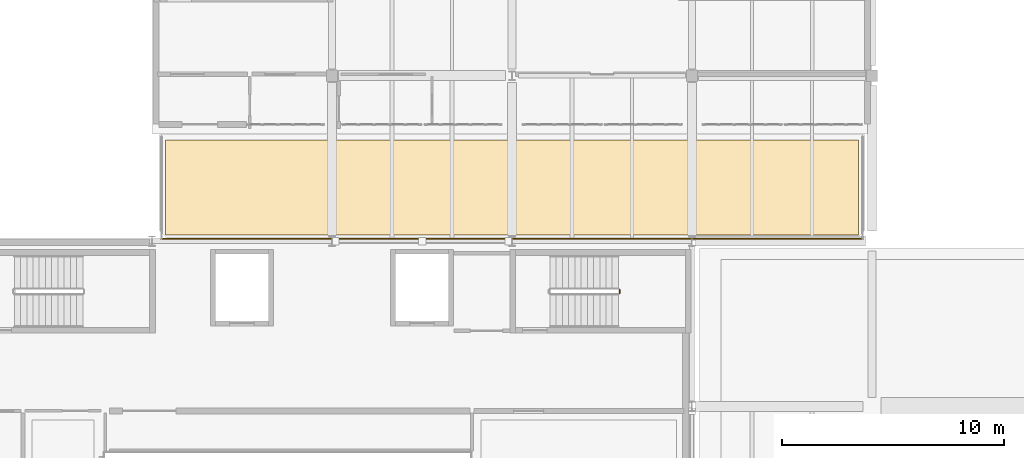
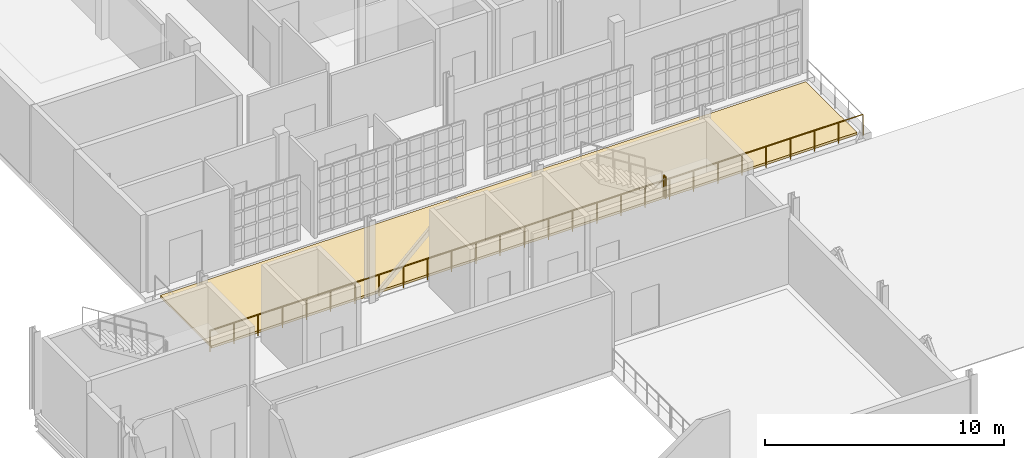
# One storey, part 24 of 25: 2 railings, 1 covering.
"""IFC4 building model written with IfcOpenShell, lengths in metres."""

import ifcopenshell
import ifcopenshell.guid

model = None  # the IFC model being written
_history = None  # IfcOwnerHistory: only IFC2X3 demands one
_inside = {}  # id of a spatial element -> (the spatial element, [elements in it])
_under = {}  # id of a project, library or spatial element -> (it, [spatial elements below it])
_declared = {}  # id of a project -> (the project, [libraries it declares])
_typed = {}  # id of a type object -> (the type object, [elements of that type])
_made_of = {}  # id of a material, layer set ... -> (it, [elements and type objects made of it])


def new_model(schema):
    """Start an empty IFC model of exactly this schema.

    Asked for "IFC4X3", IfcOpenShell would pick the latest addendum, in which some entities
    have other attributes; the version numbers below select the first issue.
    IFC2X3 requires an IfcOwnerHistory on every rooted entity: one is made here for all.
    """
    global model, _history
    if schema == "IFC4X3":
        model = ifcopenshell.file(schema_version=(4, 3, 0, 0))
    else:
        model = ifcopenshell.file(schema=schema)
    _inside.clear()
    _under.clear()
    _declared.clear()
    _typed.clear()
    _made_of.clear()
    _history = None
    if model.schema == "IFC2X3":
        org = make("IfcOrganization", Name="unknown")
        user = make(
            "IfcPersonAndOrganization",
            ThePerson=make("IfcPerson", FamilyName="unknown"),
            TheOrganization=org,
        )
        app = make(
            "IfcApplication",
            ApplicationDeveloper=org,
            Version="unknown",
            ApplicationFullName="unknown",
            ApplicationIdentifier="unknown",
        )
        _history = make(
            "IfcOwnerHistory",
            OwningUser=user,
            OwningApplication=app,
            ChangeAction="ADDED",
            CreationDate=0,
        )
    return model


def make(cls, **values):
    """One entity of the class cls with the attributes given. An attribute that is None is left unset."""
    return model.create_entity(
        cls, **{name: value for name, value in values.items() if value is not None}
    )


def rooted(cls, **values):
    """An entity with a GlobalId (a new one), such as an element, a storey or a relation."""
    return make(cls, GlobalId=ifcopenshell.guid.new(), OwnerHistory=_history, **values)


def si_unit(unit_type, name, prefix=None):
    """IfcSIUnit, for example si_unit("LENGTHUNIT", "METRE", prefix="MILLI")."""
    return make("IfcSIUnit", UnitType=unit_type, Prefix=prefix, Name=name)


def assignment(units):
    """IfcUnitAssignment: the units of a project."""
    return None if units is None else make("IfcUnitAssignment", Units=units)


def point(xyz):
    """IfcCartesianPoint."""
    return None if xyz is None else make("IfcCartesianPoint", Coordinates=xyz)


def direction(xyz):
    """IfcDirection."""
    return None if xyz is None else make("IfcDirection", DirectionRatios=xyz)


def frame(location, z_axis=None, x_axis=None):
    """IfcAxis2Placement3D, a coordinate frame: its origin and axes. An axis left out is left unset."""
    return make(
        "IfcAxis2Placement3D",
        Location=point(location),
        Axis=direction(z_axis),
        RefDirection=direction(x_axis),
    )


def frame_2d(location, x_axis=None):
    """IfcAxis2Placement2D, a coordinate frame in the plane: its origin and x axis."""
    return make(
        "IfcAxis2Placement2D", Location=point(location), RefDirection=direction(x_axis)
    )


def origin():
    """The frame at (0, 0, 0) with its axes left unset."""
    return frame((0.0, 0.0, 0.0))


def origin_2d():
    """The frame at (0, 0) in the plane with its x axis left unset."""
    return frame_2d((0.0, 0.0))


def place(relative_to, where):
    """IfcLocalPlacement: puts the frame where relative to a parent placement (None: the world)."""
    return make(
        "IfcLocalPlacement", PlacementRelTo=relative_to, RelativePlacement=where
    )


def context(
    kind, dimensions, precision=None, world=None, true_north=None, identifier=None
):
    """IfcGeometricRepresentationContext, for example the 3D "Model" context."""
    return make(
        "IfcGeometricRepresentationContext",
        ContextIdentifier=identifier,
        ContextType=kind,
        CoordinateSpaceDimension=dimensions,
        Precision=precision,
        WorldCoordinateSystem=world,
        TrueNorth=true_north,
    )


def subcontext(parent, identifier, kind, view, scale=None):
    """IfcGeometricRepresentationSubContext, for example "Body" below "Model"."""
    return make(
        "IfcGeometricRepresentationSubContext",
        ContextIdentifier=identifier,
        ContextType=kind,
        ParentContext=parent,
        TargetScale=scale,
        TargetView=view,
    )


def project(units=None, contexts=None):
    """IfcProject with its units and contexts."""
    return rooted(
        "IfcProject",
        Name="project",
        RepresentationContexts=contexts,
        UnitsInContext=assignment(units),
    )


def spatial(cls, under=None, at=None, **own):
    """A site, building, storey or space (cls), placed at a placement, below another one or the project."""
    s = rooted(cls, ObjectPlacement=at, **own)
    if under is not None:
        _under.setdefault(under.id(), (under, []))[1].append(s)
    return s


def polyline(points):
    """IfcPolyline through the points."""
    return make("IfcPolyline", Points=[point(p) for p in points])


def profile(cls, at=None, kind="AREA", **sizes):
    """A parametric profile (cls). Its sizes go by their IFC names, for example OverallWidth=200.0."""
    return make(cls, ProfileType=kind, Position=at, **sizes)


def circle(**sizes):
    """IfcCircleProfileDef."""
    return profile("IfcCircleProfileDef", **sizes)


def outline(outer, holes=None, kind="AREA"):
    """IfcArbitraryClosedProfileDef: a profile drawn as a closed curve; with holes, ...WithVoids."""
    if holes is None:
        return make("IfcArbitraryClosedProfileDef", ProfileType=kind, OuterCurve=outer)
    return make(
        "IfcArbitraryProfileDefWithVoids",
        ProfileType=kind,
        OuterCurve=outer,
        InnerCurves=holes,
    )


def extrude(swept, where, along, depth):
    """IfcExtrudedAreaSolid: the profile swept, set in the frame where, extruded along a direction by depth."""
    return make(
        "IfcExtrudedAreaSolid",
        SweptArea=swept,
        Position=where,
        ExtrudedDirection=direction(along),
        Depth=depth,
    )


def shape(context_of_items, identifier, shape_type, items):
    """IfcShapeRepresentation: the items that make up one representation, for example the "Body"."""
    return make(
        "IfcShapeRepresentation",
        ContextOfItems=context_of_items,
        RepresentationIdentifier=identifier,
        RepresentationType=shape_type,
        Items=items,
    )


def material(Name=None, Category=None):
    """IfcMaterial."""
    return make("IfcMaterial", Name=Name, Category=Category)


def layer(
    of_material, thickness, ventilated=None, Name=None, Category=None, Priority=None
):
    """IfcMaterialLayer: one layer of a wall or slab, of a material (None: an air gap)."""
    return make(
        "IfcMaterialLayer",
        Material=of_material,
        LayerThickness=thickness,
        IsVentilated=ventilated,
        Name=Name,
        Category=Category,
        Priority=Priority,
    )


def layer_set(layers, Name=None):
    """IfcMaterialLayerSet."""
    return make("IfcMaterialLayerSet", MaterialLayers=layers, LayerSetName=Name)


def made_of(thing, what):
    """Note that an element or type object is made of a material, layer set ...; save() writes the relation."""
    if what is not None:
        _made_of.setdefault(what.id(), (what, []))[1].append(thing)
    return thing


def type_object(cls, material=None, **own):
    """A type object (cls), such as IfcWallType, which elements share."""
    return made_of(rooted(cls, **own), material)


def element(
    cls,
    number,
    at=None,
    inside=None,
    cuts=None,
    type_object=None,
    material=None,
    context=None,
    identifier="Body",
    shape_type=None,
    held_by="IfcProductDefinitionShape",
    body=None,
    shapes=None,
    **own,
):
    """One element of the class cls, such as IfcWall. Its Tag is "e" and its number.

    at: its placement. inside: the storey or other place that contains it. cuts: it is an
    opening in that element (IfcRelVoidsElement). A single representation is given by context,
    identifier, shape_type and body (its items); several are given by shapes. held_by: the class
    of the entity that holds the representations. save() writes the other relations.
    """
    e = rooted(cls, Tag="e%d" % number, ObjectPlacement=at, **own)
    if body is not None:
        shapes = [shape(context, identifier, shape_type, body)]
    if shapes is not None:
        e.Representation = make(held_by, Representations=shapes)
    if inside is not None:
        _inside.setdefault(inside.id(), (inside, []))[1].append(e)
    if cuts is not None:
        rooted(
            "IfcRelVoidsElement", RelatingBuildingElement=cuts, RelatedOpeningElement=e
        )
    if type_object is not None:
        _typed.setdefault(type_object.id(), (type_object, []))[1].append(e)
    return made_of(e, material)


def aggregate(whole, parts):
    """IfcRelAggregates: a whole, such as a stair, and the parts it consists of."""
    return rooted("IfcRelAggregates", RelatingObject=whole, RelatedObjects=parts)


def save(model, path):
    """Write the relations noted so far, then the file.

    IfcRelAggregates (storeys below a building ...), IfcRelContainedInSpatialStructure (elements
    in a storey), IfcRelDefinesByType, IfcRelAssociatesMaterial and IfcRelDeclares: one each for
    every whole, place, type object, material and project.
    """
    for whole, parts in _under.values():
        aggregate(whole, parts)
    for where, things in _inside.values():
        rooted(
            "IfcRelContainedInSpatialStructure",
            RelatedElements=things,
            RelatingStructure=where,
        )
    for kind, things in _typed.values():
        rooted("IfcRelDefinesByType", RelatedObjects=things, RelatingType=kind)
    for what, things in _made_of.values():
        rooted("IfcRelAssociatesMaterial", RelatedObjects=things, RelatingMaterial=what)
    for by, libraries in _declared.values():
        rooted("IfcRelDeclares", RelatingContext=by, RelatedDefinitions=libraries)
    model.write(path)


model = new_model("IFC4")

# Units and contexts
model_context = context("Model", 3, precision=1e-05, world=origin(), true_north=direction((0.0, 1.0)))
body_context = subcontext(model_context, "Body", "Model", "MODEL_VIEW")
ifc_project = project(units=[si_unit("LENGTHUNIT", "METRE"), si_unit("AREAUNIT", "SQUARE_METRE"), si_unit("VOLUMEUNIT", "CUBIC_METRE"), si_unit("PLANEANGLEUNIT", "RADIAN"), si_unit("MASSUNIT", "GRAM", prefix="KILO")], contexts=[model_context])

# Site, building, storey
site_placement = place(None, origin())
site = spatial("IfcSite", under=ifc_project, at=site_placement, CompositionType="ELEMENT")
building_placement = place(site_placement, origin())
building = spatial("IfcBuilding", under=site, at=building_placement, Name="Kaelora Sail Theatre", CompositionType="ELEMENT")
storey_placement = place(building_placement, frame((0.0, 0.0, 19.199951171875)))
storey = spatial("IfcBuildingStorey", under=building, at=storey_placement, Name="L04", CompositionType="ELEMENT", Elevation=19.199951171875)

# Covering
ifc_material_1 = material(Name="Planted roof garden and green foliage terrace bed", Category="earth")
ifc_layer = layer(ifc_material_1, 0.1201171875)
ifc_layer_set = layer_set([ifc_layer], Name="Planted roof garden and green foliage terrace bed")
covering_type = type_object("IfcCoveringType", Name="ARC-COV-GRN", PredefinedType="ROOFING", material=ifc_layer_set)
covering_placement = place(storey_placement, origin())
element("IfcCovering", 1, at=covering_placement, inside=storey, type_object=covering_type, Name="Fifth Step Conservatory & Recording Planted Terrace Planted Garden Bed", PredefinedType="ROOFING", context=body_context, shape_type="SweptSolid", body=[
    extrude(outline(polyline([(34.5, 83.60498046875), (65.699951171875, 83.60498046875), (65.699951171875, 87.885009765625), (34.5, 87.885009765625), (34.5, 83.60498046875)])), origin(), (0.0, 0.0, 1.0), 0.1201171875),
])

# Railings
ifc_material_2 = material(Name="Painted steel and laminated safety glass guard", Category="steel")
railing_type_1 = type_object("IfcRailingType", Name="ARC-RL-GRD", PredefinedType="GUARDRAIL", material=ifc_material_2)
railing_1_placement = place(storey_placement, frame((54.93994140625, 81.0, 2.10009765625)))
element("IfcRailing", 2, at=railing_1_placement, inside=storey, type_object=railing_type_1, Name="L04 ST-K5 stair guard 2", PredefinedType="GUARDRAIL", context=body_context, shape_type="SweptSolid", body=[
    extrude(circle(Radius=0.02392578125, at=origin_2d()), frame((0.0, 0.0, 1.076171875), z_axis=(0.0, 1.0, 0.0), x_axis=(-1.0, 0.0, 0.0)), (0.0, 0.0, 1.0), 0.14990234375),
    extrude(circle(Radius=0.02099609375, at=origin_2d()), origin(), (0.0, 0.0, 1.0), 1.052001953125),
    extrude(circle(Radius=0.02099609375, at=origin_2d()), frame((0.0, 0.14990234375, 0.0)), (0.0, 0.0, 1.0), 1.052001953125),
])
ifc_material_3 = material(Name="Stainless steel 316L and laminated glass balustrade", Category="steel")
railing_type_2 = type_object("IfcRailingType", Name="ARC-RL-TER", PredefinedType="GUARDRAIL", material=ifc_material_3)
railing_2_placement = place(storey_placement, frame((34.31005859375, 83.43505859375, 0.0)))
element("IfcRailing", 3, at=railing_2_placement, inside=storey, type_object=railing_type_2, Name="Fifth Step Conservatory & Recording Planted Terrace Balustrade S", PredefinedType="GUARDRAIL", context=body_context, shape_type="SweptSolid", body=[
    extrude(circle(Radius=0.02392578125, at=origin_2d()), frame((0.0, 0.0, 1.076171875), z_axis=(1.0, 0.0, 0.0), x_axis=(0.0, 1.0, 0.0)), (0.0, 0.0, 1.0), 31.579833984375),
    extrude(circle(Radius=0.02099609375, at=origin_2d()), origin(), (0.0, 0.0, 1.0), 1.052001953125),
    extrude(circle(Radius=0.02099609375, at=origin_2d()), frame((1.169677734375, 0.0, 0.0)), (0.0, 0.0, 1.0), 1.052001953125),
    extrude(circle(Radius=0.02099609375, at=origin_2d()), frame((2.33935546875, 0.0, 0.0)), (0.0, 0.0, 1.0), 1.052001953125),
    extrude(circle(Radius=0.02099609375, at=origin_2d()), frame((3.5087890625, 0.0, 0.0)), (0.0, 0.0, 1.0), 1.052001953125),
    extrude(circle(Radius=0.02099609375, at=origin_2d()), frame((4.678466796875, 0.0, 0.0)), (0.0, 0.0, 1.0), 1.052001953125),
    extrude(circle(Radius=0.02099609375, at=origin_2d()), frame((5.84814453125, 0.0, 0.0)), (0.0, 0.0, 1.0), 1.052001953125),
    extrude(circle(Radius=0.02099609375, at=origin_2d()), frame((7.017822265625, 0.0, 0.0)), (0.0, 0.0, 1.0), 1.052001953125),
    extrude(circle(Radius=0.02099609375, at=origin_2d()), frame((8.187255859375, 0.0, 0.0)), (0.0, 0.0, 1.0), 1.052001953125),
    extrude(circle(Radius=0.02099609375, at=origin_2d()), frame((9.35693359375, 0.0, 0.0)), (0.0, 0.0, 1.0), 1.052001953125),
    extrude(circle(Radius=0.02099609375, at=origin_2d()), frame((10.526611328125, 0.0, 0.0)), (0.0, 0.0, 1.0), 1.052001953125),
    extrude(circle(Radius=0.02099609375, at=origin_2d()), frame((11.6962890625, 0.0, 0.0)), (0.0, 0.0, 1.0), 1.052001953125),
    extrude(circle(Radius=0.02099609375, at=origin_2d()), frame((12.865966796875, 0.0, 0.0)), (0.0, 0.0, 1.0), 1.052001953125),
    extrude(circle(Radius=0.02099609375, at=origin_2d()), frame((14.035400390625, 0.0, 0.0)), (0.0, 0.0, 1.0), 1.052001953125),
    extrude(circle(Radius=0.02099609375, at=origin_2d()), frame((15.205078125, 0.0, 0.0)), (0.0, 0.0, 1.0), 1.052001953125),
    extrude(circle(Radius=0.02099609375, at=origin_2d()), frame((16.374755859375, 0.0, 0.0)), (0.0, 0.0, 1.0), 1.052001953125),
    extrude(circle(Radius=0.02099609375, at=origin_2d()), frame((17.54443359375, 0.0, 0.0)), (0.0, 0.0, 1.0), 1.052001953125),
    extrude(circle(Radius=0.02099609375, at=origin_2d()), frame((18.7138671875, 0.0, 0.0)), (0.0, 0.0, 1.0), 1.052001953125),
    extrude(circle(Radius=0.02099609375, at=origin_2d()), frame((19.883544921875, 0.0, 0.0)), (0.0, 0.0, 1.0), 1.052001953125),
    extrude(circle(Radius=0.02099609375, at=origin_2d()), frame((21.05322265625, 0.0, 0.0)), (0.0, 0.0, 1.0), 1.052001953125),
    extrude(circle(Radius=0.02099609375, at=origin_2d()), frame((22.222900390625, 0.0, 0.0)), (0.0, 0.0, 1.0), 1.052001953125),
    extrude(circle(Radius=0.02099609375, at=origin_2d()), frame((23.392578125, 0.0, 0.0)), (0.0, 0.0, 1.0), 1.052001953125),
    extrude(circle(Radius=0.02099609375, at=origin_2d()), frame((24.56201171875, 0.0, 0.0)), (0.0, 0.0, 1.0), 1.052001953125),
    extrude(circle(Radius=0.02099609375, at=origin_2d()), frame((25.731689453125, 0.0, 0.0)), (0.0, 0.0, 1.0), 1.052001953125),
    extrude(circle(Radius=0.02099609375, at=origin_2d()), frame((26.9013671875, 0.0, 0.0)), (0.0, 0.0, 1.0), 1.052001953125),
    extrude(circle(Radius=0.02099609375, at=origin_2d()), frame((28.071044921875, 0.0, 0.0)), (0.0, 0.0, 1.0), 1.052001953125),
    extrude(circle(Radius=0.02099609375, at=origin_2d()), frame((29.240478515625, 0.0, 0.0)), (0.0, 0.0, 1.0), 1.052001953125),
    extrude(circle(Radius=0.02099609375, at=origin_2d()), frame((30.41015625, 0.0, 0.0)), (0.0, 0.0, 1.0), 1.052001953125),
    extrude(circle(Radius=0.02099609375, at=origin_2d()), frame((31.579833984375, 0.0, 0.0)), (0.0, 0.0, 1.0), 1.052001953125),
])

save(model, "model.ifc")
